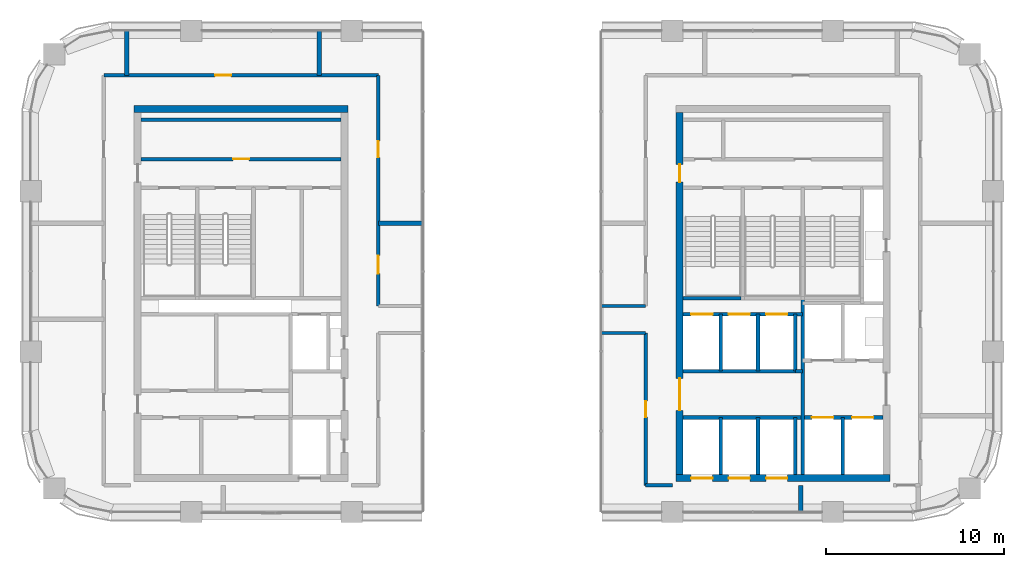
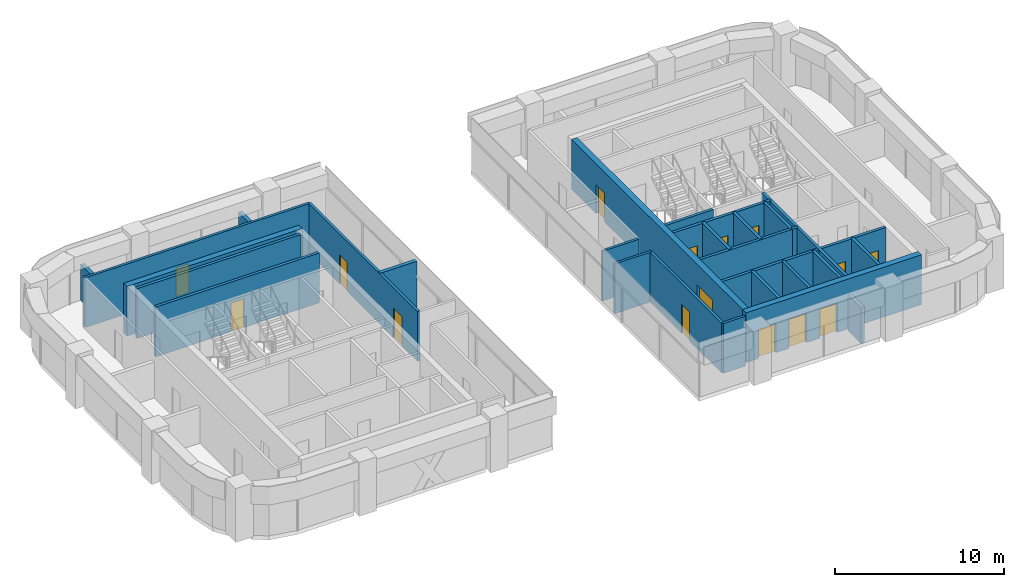
# One storey, part 7 of 12: 28 walls, 15 doors, 15 openings.
"""IFC4 building model written with IfcOpenShell, lengths in metres."""

import ifcopenshell
import ifcopenshell.guid

model = None  # the IFC model being written
_history = None  # IfcOwnerHistory: only IFC2X3 demands one
_inside = {}  # id of a spatial element -> (the spatial element, [elements in it])
_under = {}  # id of a project, library or spatial element -> (it, [spatial elements below it])
_declared = {}  # id of a project -> (the project, [libraries it declares])
_typed = {}  # id of a type object -> (the type object, [elements of that type])
_made_of = {}  # id of a material, layer set ... -> (it, [elements and type objects made of it])


def new_model(schema):
    """Start an empty IFC model of exactly this schema.

    Asked for "IFC4X3", IfcOpenShell would pick the latest addendum, in which some entities
    have other attributes; the version numbers below select the first issue.
    IFC2X3 requires an IfcOwnerHistory on every rooted entity: one is made here for all.
    """
    global model, _history
    if schema == "IFC4X3":
        model = ifcopenshell.file(schema_version=(4, 3, 0, 0))
    else:
        model = ifcopenshell.file(schema=schema)
    _inside.clear()
    _under.clear()
    _declared.clear()
    _typed.clear()
    _made_of.clear()
    _history = None
    if model.schema == "IFC2X3":
        org = make("IfcOrganization", Name="unknown")
        user = make(
            "IfcPersonAndOrganization",
            ThePerson=make("IfcPerson", FamilyName="unknown"),
            TheOrganization=org,
        )
        app = make(
            "IfcApplication",
            ApplicationDeveloper=org,
            Version="unknown",
            ApplicationFullName="unknown",
            ApplicationIdentifier="unknown",
        )
        _history = make(
            "IfcOwnerHistory",
            OwningUser=user,
            OwningApplication=app,
            ChangeAction="ADDED",
            CreationDate=0,
        )
    return model


def make(cls, **values):
    """One entity of the class cls with the attributes given. An attribute that is None is left unset."""
    return model.create_entity(
        cls, **{name: value for name, value in values.items() if value is not None}
    )


def rooted(cls, **values):
    """An entity with a GlobalId (a new one), such as an element, a storey or a relation."""
    return make(cls, GlobalId=ifcopenshell.guid.new(), OwnerHistory=_history, **values)


def si_unit(unit_type, name, prefix=None):
    """IfcSIUnit, for example si_unit("LENGTHUNIT", "METRE", prefix="MILLI")."""
    return make("IfcSIUnit", UnitType=unit_type, Prefix=prefix, Name=name)


def assignment(units):
    """IfcUnitAssignment: the units of a project."""
    return None if units is None else make("IfcUnitAssignment", Units=units)


def point(xyz):
    """IfcCartesianPoint."""
    return None if xyz is None else make("IfcCartesianPoint", Coordinates=xyz)


def direction(xyz):
    """IfcDirection."""
    return None if xyz is None else make("IfcDirection", DirectionRatios=xyz)


def frame(location, z_axis=None, x_axis=None):
    """IfcAxis2Placement3D, a coordinate frame: its origin and axes. An axis left out is left unset."""
    return make(
        "IfcAxis2Placement3D",
        Location=point(location),
        Axis=direction(z_axis),
        RefDirection=direction(x_axis),
    )


def frame_2d(location, x_axis=None):
    """IfcAxis2Placement2D, a coordinate frame in the plane: its origin and x axis."""
    return make(
        "IfcAxis2Placement2D", Location=point(location), RefDirection=direction(x_axis)
    )


def origin():
    """The frame at (0, 0, 0) with its axes left unset."""
    return frame((0.0, 0.0, 0.0))


def place(relative_to, where):
    """IfcLocalPlacement: puts the frame where relative to a parent placement (None: the world)."""
    return make(
        "IfcLocalPlacement", PlacementRelTo=relative_to, RelativePlacement=where
    )


def context(
    kind, dimensions, precision=None, world=None, true_north=None, identifier=None
):
    """IfcGeometricRepresentationContext, for example the 3D "Model" context."""
    return make(
        "IfcGeometricRepresentationContext",
        ContextIdentifier=identifier,
        ContextType=kind,
        CoordinateSpaceDimension=dimensions,
        Precision=precision,
        WorldCoordinateSystem=world,
        TrueNorth=true_north,
    )


def subcontext(parent, identifier, kind, view, scale=None):
    """IfcGeometricRepresentationSubContext, for example "Body" below "Model"."""
    return make(
        "IfcGeometricRepresentationSubContext",
        ContextIdentifier=identifier,
        ContextType=kind,
        ParentContext=parent,
        TargetScale=scale,
        TargetView=view,
    )


def project(units=None, contexts=None):
    """IfcProject with its units and contexts."""
    return rooted(
        "IfcProject",
        Name="project",
        RepresentationContexts=contexts,
        UnitsInContext=assignment(units),
    )


def spatial(cls, under=None, at=None, **own):
    """A site, building, storey or space (cls), placed at a placement, below another one or the project."""
    s = rooted(cls, ObjectPlacement=at, **own)
    if under is not None:
        _under.setdefault(under.id(), (under, []))[1].append(s)
    return s


def profile(cls, at=None, kind="AREA", **sizes):
    """A parametric profile (cls). Its sizes go by their IFC names, for example OverallWidth=200.0."""
    return make(cls, ProfileType=kind, Position=at, **sizes)


def rectangle(**sizes):
    """IfcRectangleProfileDef."""
    return profile("IfcRectangleProfileDef", **sizes)


def extrude(swept, where, along, depth):
    """IfcExtrudedAreaSolid: the profile swept, set in the frame where, extruded along a direction by depth."""
    return make(
        "IfcExtrudedAreaSolid",
        SweptArea=swept,
        Position=where,
        ExtrudedDirection=direction(along),
        Depth=depth,
    )


def shape(context_of_items, identifier, shape_type, items):
    """IfcShapeRepresentation: the items that make up one representation, for example the "Body"."""
    return make(
        "IfcShapeRepresentation",
        ContextOfItems=context_of_items,
        RepresentationIdentifier=identifier,
        RepresentationType=shape_type,
        Items=items,
    )


def material(Name=None, Category=None):
    """IfcMaterial."""
    return make("IfcMaterial", Name=Name, Category=Category)


def layer(
    of_material, thickness, ventilated=None, Name=None, Category=None, Priority=None
):
    """IfcMaterialLayer: one layer of a wall or slab, of a material (None: an air gap)."""
    return make(
        "IfcMaterialLayer",
        Material=of_material,
        LayerThickness=thickness,
        IsVentilated=ventilated,
        Name=Name,
        Category=Category,
        Priority=Priority,
    )


def layer_set(layers, Name=None):
    """IfcMaterialLayerSet."""
    return make("IfcMaterialLayerSet", MaterialLayers=layers, LayerSetName=Name)


def made_of(thing, what):
    """Note that an element or type object is made of a material, layer set ...; save() writes the relation."""
    if what is not None:
        _made_of.setdefault(what.id(), (what, []))[1].append(thing)
    return thing


def type_object(cls, material=None, **own):
    """A type object (cls), such as IfcWallType, which elements share."""
    return made_of(rooted(cls, **own), material)


def element(
    cls,
    number,
    at=None,
    inside=None,
    cuts=None,
    type_object=None,
    material=None,
    context=None,
    identifier="Body",
    shape_type=None,
    held_by="IfcProductDefinitionShape",
    body=None,
    shapes=None,
    **own,
):
    """One element of the class cls, such as IfcWall. Its Tag is "e" and its number.

    at: its placement. inside: the storey or other place that contains it. cuts: it is an
    opening in that element (IfcRelVoidsElement). A single representation is given by context,
    identifier, shape_type and body (its items); several are given by shapes. held_by: the class
    of the entity that holds the representations. save() writes the other relations.
    """
    e = rooted(cls, Tag="e%d" % number, ObjectPlacement=at, **own)
    if body is not None:
        shapes = [shape(context, identifier, shape_type, body)]
    if shapes is not None:
        e.Representation = make(held_by, Representations=shapes)
    if inside is not None:
        _inside.setdefault(inside.id(), (inside, []))[1].append(e)
    if cuts is not None:
        rooted(
            "IfcRelVoidsElement", RelatingBuildingElement=cuts, RelatedOpeningElement=e
        )
    if type_object is not None:
        _typed.setdefault(type_object.id(), (type_object, []))[1].append(e)
    return made_of(e, material)


def fill(opening, filler):
    """IfcRelFillsElement: the door or window that sits in an opening."""
    return rooted(
        "IfcRelFillsElement",
        RelatingOpeningElement=opening,
        RelatedBuildingElement=filler,
    )


def aggregate(whole, parts):
    """IfcRelAggregates: a whole, such as a stair, and the parts it consists of."""
    return rooted("IfcRelAggregates", RelatingObject=whole, RelatedObjects=parts)


def save(model, path):
    """Write the relations noted so far, then the file.

    IfcRelAggregates (storeys below a building ...), IfcRelContainedInSpatialStructure (elements
    in a storey), IfcRelDefinesByType, IfcRelAssociatesMaterial and IfcRelDeclares: one each for
    every whole, place, type object, material and project.
    """
    for whole, parts in _under.values():
        aggregate(whole, parts)
    for where, things in _inside.values():
        rooted(
            "IfcRelContainedInSpatialStructure",
            RelatedElements=things,
            RelatingStructure=where,
        )
    for kind, things in _typed.values():
        rooted("IfcRelDefinesByType", RelatedObjects=things, RelatingType=kind)
    for what, things in _made_of.values():
        rooted("IfcRelAssociatesMaterial", RelatedObjects=things, RelatingMaterial=what)
    for by, libraries in _declared.values():
        rooted("IfcRelDeclares", RelatingContext=by, RelatedDefinitions=libraries)
    model.write(path)


model = new_model("IFC4")

# Units and contexts
model_context = context("Model", 3, precision=1e-05, world=origin(), true_north=direction((0.0, 1.0)))
body_context = subcontext(model_context, "Body", "Model", "MODEL_VIEW")
ifc_project = project(units=[si_unit("LENGTHUNIT", "METRE"), si_unit("AREAUNIT", "SQUARE_METRE"), si_unit("VOLUMEUNIT", "CUBIC_METRE"), si_unit("PLANEANGLEUNIT", "RADIAN"), si_unit("MASSUNIT", "GRAM", prefix="KILO")], contexts=[model_context])

# Site, building, storey
site_placement = place(None, origin())
site = spatial("IfcSite", under=ifc_project, at=site_placement, CompositionType="ELEMENT")
building_placement = place(site_placement, origin())
building = spatial("IfcBuilding", under=site, at=building_placement, Name="Tessera Arch", CompositionType="ELEMENT")
storey_placement = place(building_placement, frame((0.0, 0.0, 207.199951171875)))
storey = spatial("IfcBuildingStorey", under=building, at=storey_placement, Name="L49", CompositionType="ELEMENT", Elevation=207.199951171875)

# Wall
ifc_material_1 = material(Name="Gypsum board on steel stud", Category="steel")
ifc_layer_1 = layer(ifc_material_1, 0.125)
ifc_layer_set_1 = layer_set([ifc_layer_1], Name="Core partition 125 EI 60")
wall_type_1 = type_object("IfcWallType", Name="Core partition 125 EI 60", PredefinedType="PARTITIONING", material=ifc_layer_set_1)
wall_1_placement = place(storey_placement, frame((42.89990234375, 34.89990234375, 0.0), z_axis=(0.0, 0.0, 1.0), x_axis=(1.0, 0.0, 0.0)))
element("IfcWall", 1, at=wall_1_placement, inside=storey, type_object=wall_type_1, Name="L49 C1 partition wall 19", PredefinedType="PARTITIONING", context=body_context, shape_type="SweptSolid", body=[
    extrude(rectangle(XDim=0.400146484375, YDim=0.199951171875, at=frame_2d((0.2001953125, 0.0))), origin(), (0.0, 0.0, 1.0), 3.60009765625),
])

# Wall, opening, door
wall_2_placement = place(storey_placement, frame((6.199951171875, 46.800048828125, 0.0), z_axis=(0.0, 0.0, 1.0), x_axis=(1.0, 0.0, 0.0)))
wall_2 = element("IfcWall", 2, at=wall_2_placement, inside=storey, type_object=wall_type_1, Name="L49 C2 partition wall 24", PredefinedType="PARTITIONING", context=body_context, shape_type="SweptSolid", body=[
    extrude(rectangle(XDim=11.199951171875, YDim=0.199951171875, at=frame_2d((5.60009765625, 0.0))), origin(), (0.0, 0.0, 1.0), 3.60009765625),
])
opening_1_placement = place(wall_2_placement, frame((5.14990234375, 0.0, 0.0)))
opening_1 = element("IfcOpeningElement", 3, at=opening_1_placement, cuts=wall_2, Name="Opening L49-C29", PredefinedType="OPENING", context=body_context, shape_type="SweptSolid", body=[
    extrude(rectangle(XDim=0.89990234375, YDim=2.10009765625, at=frame_2d((0.449951171875, 1.050048828125))), frame((0.0, 0.10986328125, 0.0), z_axis=(0.0, -1.0, 0.0), x_axis=(1.0, 0.0, 0.0)), (0.0, 0.0, 1.0), 0.219970703125),
])
ifc_material_2 = material(Name="Steel door leaf", Category="steel")
door_type_1 = type_object("IfcDoorType", Name="Store door FD30S 900 x 2100", OperationType="SINGLE_SWING_LEFT", PredefinedType="DOOR", material=ifc_material_2)
door_1_placement = place(opening_1_placement, origin())
door_1 = element("IfcDoor", 4, at=door_1_placement, inside=storey, type_object=door_type_1, Name="L49 C2 door 10 C29 type D09", OperationType="SINGLE_SWING_RIGHT", OverallHeight=2.10009765625, OverallWidth=0.89990234375, PredefinedType="DOOR", context=body_context, shape_type="SweptSolid", body=[
    extrude(rectangle(XDim=0.89990234375, YDim=2.10009765625, at=frame_2d((0.449951171875, 1.050048828125))), frame((0.0, 0.02490234375, 0.0), z_axis=(0.0, -1.0, 0.0), x_axis=(1.0, 0.0, 0.0)), (0.0, 0.0, 1.0), 0.050048828125),
])
fill(opening_1, door_1)

# Wall
wall_3_placement = place(storey_placement, frame((6.199951171875, 49.0, 0.0), z_axis=(0.0, 0.0, 1.0), x_axis=(1.0, 0.0, 0.0)))
element("IfcWall", 5, at=wall_3_placement, inside=storey, type_object=wall_type_1, Name="L49 C2 partition wall 25", PredefinedType="PARTITIONING", context=body_context, shape_type="SweptSolid", body=[
    extrude(rectangle(XDim=11.199951171875, YDim=0.199951171875, at=frame_2d((5.60009765625, 0.0))), origin(), (0.0, 0.0, 1.0), 3.60009765625),
])

# Wall, openings, doors
ifc_material_3 = material(Name="Concrete C50/60", Category="concrete")
ifc_layer_2 = layer(ifc_material_3, 0.39990234375)
ifc_layer_set_2 = layer_set([ifc_layer_2], Name="Core shell wall 400 C50-60")
wall_type_2 = type_object("IfcWallType", Name="Core shell wall 400 C50-60", PredefinedType="SHEAR", material=ifc_layer_set_2)
wall_4_placement = place(storey_placement, frame((36.199951171875, 28.89990234375, 0.0), z_axis=(0.0, 0.0, 1.0), x_axis=(1.0, 0.0, 0.0)))
wall_4 = element("IfcWall", 6, at=wall_4_placement, inside=storey, type_object=wall_type_2, Name="L49 C1 core wall S", PredefinedType="SHEAR", context=body_context, shape_type="SweptSolid", body=[
    extrude(rectangle(XDim=12.0, YDim=0.39990234375, at=frame_2d((6.0, 0.0))), origin(), (0.0, 0.0, 1.0), 3.60009765625),
])
opening_2_placement = place(wall_4_placement, frame((0.85009765625, 0.0, 0.0)))
opening_2 = element("IfcOpeningElement", 7, at=opening_2_placement, cuts=wall_4, Name="Opening L49-C01", PredefinedType="OPENING", context=body_context, shape_type="SweptSolid", body=[
    extrude(rectangle(XDim=1.199951171875, YDim=2.10009765625, at=frame_2d((0.60009765625, 1.050048828125))), frame((0.0, 0.2099609375, 0.0), z_axis=(0.0, -1.0, 0.0), x_axis=(1.0, 0.0, 0.0)), (0.0, 0.0, 1.0), 0.419921875),
])
opening_3_placement = place(wall_4_placement, frame((2.949951171875, 0.0, 0.0)))
opening_3 = element("IfcOpeningElement", 8, at=opening_3_placement, cuts=wall_4, Name="Opening L49-C03", PredefinedType="OPENING", context=body_context, shape_type="SweptSolid", body=[
    extrude(rectangle(XDim=1.199951171875, YDim=2.10009765625, at=frame_2d((0.60009765625, 1.050048828125))), frame((0.0, 0.2099609375, 0.0), z_axis=(0.0, -1.0, 0.0), x_axis=(1.0, 0.0, 0.0)), (0.0, 0.0, 1.0), 0.419921875),
])
opening_4_placement = place(wall_4_placement, frame((5.050048828125, 0.0, 0.0)))
opening_4 = element("IfcOpeningElement", 9, at=opening_4_placement, cuts=wall_4, Name="Opening L49-C05", PredefinedType="OPENING", context=body_context, shape_type="SweptSolid", body=[
    extrude(rectangle(XDim=1.199951171875, YDim=2.10009765625, at=frame_2d((0.60009765625, 1.050048828125))), frame((0.0, 0.2099609375, 0.0), z_axis=(0.0, -1.0, 0.0), x_axis=(1.0, 0.0, 0.0)), (0.0, 0.0, 1.0), 0.419921875),
])
ifc_material_4 = material(Name="Stainless steel AISI 304", Category="steel")
door_type_2 = type_object("IfcDoorType", Name="Sliding landing door 1200 x 2100", OperationType="SLIDING_TO_LEFT", PredefinedType="DOOR", material=ifc_material_4)
door_2_placement = place(opening_2_placement, origin())
door_2 = element("IfcDoor", 10, at=door_2_placement, inside=storey, type_object=door_type_2, Name="L49 HR1 lift landing door C01 type LD", OperationType="SLIDING_TO_LEFT", OverallHeight=2.10009765625, OverallWidth=1.199951171875, PredefinedType="DOOR", context=body_context, shape_type="SweptSolid", body=[
    extrude(rectangle(XDim=1.199951171875, YDim=2.10009765625, at=frame_2d((0.60009765625, 1.050048828125))), frame((0.0, 0.02490234375, 0.0), z_axis=(0.0, -1.0, 0.0), x_axis=(1.0, 0.0, 0.0)), (0.0, 0.0, 1.0), 0.050048828125),
])
fill(opening_2, door_2)
door_3_placement = place(opening_3_placement, origin())
door_3 = element("IfcDoor", 11, at=door_3_placement, inside=storey, type_object=door_type_2, Name="L49 HR2 lift landing door C03 type LD", OperationType="SLIDING_TO_LEFT", OverallHeight=2.10009765625, OverallWidth=1.199951171875, PredefinedType="DOOR", context=body_context, shape_type="SweptSolid", body=[
    extrude(rectangle(XDim=1.199951171875, YDim=2.10009765625, at=frame_2d((0.60009765625, 1.050048828125))), frame((0.0, 0.02490234375, 0.0), z_axis=(0.0, -1.0, 0.0), x_axis=(1.0, 0.0, 0.0)), (0.0, 0.0, 1.0), 0.050048828125),
])
fill(opening_3, door_3)
door_4_placement = place(opening_4_placement, origin())
door_4 = element("IfcDoor", 12, at=door_4_placement, inside=storey, type_object=door_type_2, Name="L49 HR3 lift landing door C05 type LD", OperationType="SLIDING_TO_LEFT", OverallHeight=2.10009765625, OverallWidth=1.199951171875, PredefinedType="DOOR", context=body_context, shape_type="SweptSolid", body=[
    extrude(rectangle(XDim=1.199951171875, YDim=2.10009765625, at=frame_2d((0.60009765625, 1.050048828125))), frame((0.0, 0.02490234375, 0.0), z_axis=(0.0, -1.0, 0.0), x_axis=(1.0, 0.0, 0.0)), (0.0, 0.0, 1.0), 0.050048828125),
])
fill(opening_4, door_4)

wall_5_placement = place(storey_placement, frame((36.39990234375, 29.10009765625, 0.0), z_axis=(0.0, 0.0, 1.0), x_axis=(0.0, 1.0, 0.0)))
wall_5 = element("IfcWall", 13, at=wall_5_placement, inside=storey, type_object=wall_type_2, Name="L49 C1 core wall W", PredefinedType="SHEAR", context=body_context, shape_type="SweptSolid", body=[
    extrude(rectangle(XDim=20.2998046875, YDim=0.39990234375, at=frame_2d((10.14990234375, 0.0))), origin(), (0.0, 0.0, 1.0), 3.60009765625),
])
opening_5_placement = place(wall_5_placement, frame((3.60009765625, 0.0, 0.0)))
opening_5 = element("IfcOpeningElement", 14, at=opening_5_placement, cuts=wall_5, Name="Opening L49-C10", PredefinedType="OPENING", context=body_context, shape_type="SweptSolid", body=[
    extrude(rectangle(XDim=1.800048828125, YDim=2.10009765625, at=frame_2d((0.89990234375, 1.050048828125))), frame((0.0, 0.2099609375, 0.0), z_axis=(0.0, -1.0, 0.0), x_axis=(1.0, 0.0, 0.0)), (0.0, 0.0, 1.0), 0.419921875),
])
opening_6_placement = place(wall_5_placement, frame((16.39990234375, 0.0, 0.0)))
opening_6 = element("IfcOpeningElement", 15, at=opening_6_placement, cuts=wall_5, Name="Opening L49-C17", PredefinedType="OPENING", context=body_context, shape_type="SweptSolid", body=[
    extrude(rectangle(XDim=1.0, YDim=2.10009765625, at=frame_2d((0.5, 1.050048828125))), frame((0.0, 0.2099609375, 0.0), z_axis=(0.0, -1.0, 0.0), x_axis=(1.0, 0.0, 0.0)), (0.0, 0.0, 1.0), 0.419921875),
])
ifc_material_5 = material(Name="Steel door leaf", Category="steel")
door_type_3 = type_object("IfcDoorType", Name="Corridor door FD60 1000 x 2100", OperationType="SINGLE_SWING_LEFT", PredefinedType="DOOR", material=ifc_material_5)
door_5_placement = place(opening_6_placement, origin())
door_5 = element("IfcDoor", 16, at=door_5_placement, inside=storey, type_object=door_type_3, Name="L49 C1 door 17 C17 type D12", OperationType="SINGLE_SWING_RIGHT", OverallHeight=2.10009765625, OverallWidth=1.0, PredefinedType="DOOR", context=body_context, shape_type="SweptSolid", body=[
    extrude(rectangle(XDim=1.0, YDim=2.10009765625, at=frame_2d((0.5, 1.050048828125))), frame((0.0, 0.02490234375, 0.0), z_axis=(0.0, -1.0, 0.0), x_axis=(1.0, 0.0, 0.0)), (0.0, 0.0, 1.0), 0.050048828125),
])
fill(opening_6, door_5)
ifc_material_6 = material(Name="Glazed steel door leaf", Category="steel")
door_type_4 = type_object("IfcDoorType", Name="Lobby double door FD30S 1800 x 2100", OperationType="DOUBLE_DOOR_SINGLE_SWING", PredefinedType="DOOR", material=ifc_material_6)
door_6_placement = place(opening_5_placement, origin())
door_6 = element("IfcDoor", 17, at=door_6_placement, inside=storey, type_object=door_type_4, Name="L49 C1 door 10 C10 type D06", OperationType="DOUBLE_DOOR_SINGLE_SWING", OverallHeight=2.10009765625, OverallWidth=1.800048828125, PredefinedType="DOOR", context=body_context, shape_type="SweptSolid", body=[
    extrude(rectangle(XDim=1.800048828125, YDim=2.10009765625, at=frame_2d((0.89990234375, 1.050048828125))), frame((0.0, 0.02490234375, 0.0), z_axis=(0.0, -1.0, 0.0), x_axis=(1.0, 0.0, 0.0)), (0.0, 0.0, 1.0), 0.050048828125),
])
fill(opening_5, door_6)

# Walls
wall_6_placement = place(storey_placement, frame((5.800048828125, 49.60009765625, 0.0), z_axis=(0.0, 0.0, 1.0), x_axis=(1.0, 0.0, 0.0)))
element("IfcWall", 18, at=wall_6_placement, inside=storey, type_object=wall_type_2, Name="L49 C2 core wall N", PredefinedType="SHEAR", context=body_context, shape_type="SweptSolid", body=[
    extrude(rectangle(XDim=12.0, YDim=0.39990234375, at=frame_2d((6.0, 0.0))), origin(), (0.0, 0.0, 1.0), 3.60009765625),
])
ifc_material_7 = material(Name="Gypsum board on deep steel stud with mineral wool", Category="steel")
ifc_layer_3 = layer(ifc_material_7, 0.175048828125)
ifc_layer_set_3 = layer_set([ifc_layer_3], Name="Corridor wall 175 EI 60")
wall_type_3 = type_object("IfcWallType", Name="Corridor wall 175 EI 60", PredefinedType="PARTITIONING", material=ifc_layer_set_3)
wall_7_placement = place(storey_placement, frame((34.5, 28.5, 0.0), z_axis=(0.0, 0.0, 1.0), x_axis=(1.0, 0.0, 0.0)))
element("IfcWall", 19, at=wall_7_placement, inside=storey, type_object=wall_type_3, Name="L49 partition 3", PredefinedType="PARTITIONING", context=body_context, shape_type="SweptSolid", body=[
    extrude(rectangle(XDim=1.5, YDim=0.175048828125, at=frame_2d((0.75, 0.0))), origin(), (0.0, 0.0, 1.0), 3.60009765625),
])
for number, where, z_axis, x_axis, name in (
    (20, (32.0, 37.050048828125, 0.0), (0.0, 0.0, 1.0), (1.0, 0.0, 0.0), "L49 partition 6"),
    (21, (32.0, 38.550048828125, 0.0), (0.0, 0.0, 1.0), (1.0, 0.0, 0.0), "L49 partition 8"),
):
    element("IfcWall", number, at=place(storey_placement, frame(where, z_axis=z_axis, x_axis=x_axis)), inside=storey, type_object=wall_type_3, Name=name, PredefinedType="PARTITIONING", context=body_context, shape_type="SweptSolid", body=[
        extrude(rectangle(XDim=2.5, YDim=0.175048828125, at=frame_2d((1.25, 0.0))), origin(), (0.0, 0.0, 1.0), 3.60009765625),
    ])

# Wall, opening, door
wall_8_placement = place(storey_placement, frame((4.10009765625, 51.5, 0.0), z_axis=(0.0, 0.0, 1.0), x_axis=(1.0, 0.0, 0.0)))
wall_8 = element("IfcWall", 22, at=wall_8_placement, inside=storey, type_object=wall_type_3, Name="L49 partition 9", PredefinedType="PARTITIONING", context=body_context, shape_type="SweptSolid", body=[
    extrude(rectangle(XDim=15.39990234375, YDim=0.175048828125, at=frame_2d((7.699951171875, 0.0))), origin(), (0.0, 0.0, 1.0), 3.60009765625),
])
opening_7_placement = place(wall_8_placement, frame((6.25, 0.0, 0.0)))
opening_7 = element("IfcOpeningElement", 23, at=opening_7_placement, cuts=wall_8, Name="Opening L49-D014", PredefinedType="OPENING", context=body_context, shape_type="SweptSolid", body=[
    extrude(rectangle(XDim=0.89990234375, YDim=2.10009765625, at=frame_2d((0.449951171875, 1.050048828125))), frame((0.0, 0.097412109375, 0.0), z_axis=(0.0, -1.0, 0.0), x_axis=(1.0, 0.0, 0.0)), (0.0, 0.0, 1.0), 0.195068359375),
])
ifc_material_8 = material(Name="Timber door leaf", Category="wood")
door_type_5 = type_object("IfcDoorType", Name="Room door 900 x 2100", OperationType="SINGLE_SWING_LEFT", PredefinedType="DOOR", material=ifc_material_8)
door_7_placement = place(opening_7_placement, origin())
door_7 = element("IfcDoor", 24, at=door_7_placement, inside=storey, type_object=door_type_5, Name="L49 door D014 type D01", OperationType="SINGLE_SWING_RIGHT", OverallHeight=2.10009765625, OverallWidth=0.89990234375, PredefinedType="DOOR", context=body_context, shape_type="SweptSolid", body=[
    extrude(rectangle(XDim=0.89990234375, YDim=2.10009765625, at=frame_2d((0.449951171875, 1.050048828125))), frame((0.0, 0.02490234375, 0.0), z_axis=(0.0, -1.0, 0.0), x_axis=(1.0, 0.0, 0.0)), (0.0, 0.0, 1.0), 0.050048828125),
])
fill(opening_7, door_7)

# Wall, openings, doors
wall_9_placement = place(storey_placement, frame((19.5, 38.550048828125, 0.0), z_axis=(0.0, 0.0, 1.0), x_axis=(0.0, 1.0, 0.0)))
wall_9 = element("IfcWall", 25, at=wall_9_placement, inside=storey, type_object=wall_type_3, Name="L49 partition 13", PredefinedType="PARTITIONING", context=body_context, shape_type="SweptSolid", body=[
    extrude(rectangle(XDim=12.949951171875, YDim=0.175048828125, at=frame_2d((6.47509765625, 0.0))), origin(), (0.0, 0.0, 1.0), 3.60009765625),
])
opening_8_placement = place(wall_9_placement, frame((1.824951171875, 0.0, 0.0)))
opening_8 = element("IfcOpeningElement", 26, at=opening_8_placement, cuts=wall_9, Name="Opening L49-D008", PredefinedType="OPENING", context=body_context, shape_type="SweptSolid", body=[
    extrude(rectangle(XDim=1.0, YDim=2.10009765625, at=frame_2d((0.5, 1.050048828125))), frame((0.0, 0.097412109375, 0.0), z_axis=(0.0, -1.0, 0.0), x_axis=(1.0, 0.0, 0.0)), (0.0, 0.0, 1.0), 0.195068359375),
])
opening_9_placement = place(wall_9_placement, frame((8.35009765625, 0.0, 0.0)))
opening_9 = element("IfcOpeningElement", 27, at=opening_9_placement, cuts=wall_9, Name="Opening L49-D012", PredefinedType="OPENING", context=body_context, shape_type="SweptSolid", body=[
    extrude(rectangle(XDim=0.89990234375, YDim=2.10009765625, at=frame_2d((0.449951171875, 1.050048828125))), frame((0.0, 0.097412109375, 0.0), z_axis=(0.0, -1.0, 0.0), x_axis=(1.0, 0.0, 0.0)), (0.0, 0.0, 1.0), 0.195068359375),
])
ifc_material_9 = material(Name="Fire-rated door leaf")
door_type_6 = type_object("IfcDoorType", Name="Entrance door FD30S 1000 x 2100", OperationType="SINGLE_SWING_LEFT", PredefinedType="DOOR", material=ifc_material_9)
door_8_placement = place(opening_8_placement, origin())
door_8 = element("IfcDoor", 28, at=door_8_placement, inside=storey, type_object=door_type_6, Name="L49 door D008 type D03", OperationType="SINGLE_SWING_LEFT", OverallHeight=2.10009765625, OverallWidth=1.0, PredefinedType="DOOR", context=body_context, shape_type="SweptSolid", body=[
    extrude(rectangle(XDim=1.0, YDim=2.10009765625, at=frame_2d((0.5, 1.050048828125))), frame((0.0, 0.02490234375, 0.0), z_axis=(0.0, -1.0, 0.0), x_axis=(1.0, 0.0, 0.0)), (0.0, 0.0, 1.0), 0.050048828125),
])
fill(opening_8, door_8)
door_9_placement = place(opening_9_placement, origin())
door_9 = element("IfcDoor", 29, at=door_9_placement, inside=storey, type_object=door_type_5, Name="L49 door D012 type D01", OperationType="SINGLE_SWING_LEFT", OverallHeight=2.10009765625, OverallWidth=0.89990234375, PredefinedType="DOOR", context=body_context, shape_type="SweptSolid", body=[
    extrude(rectangle(XDim=0.89990234375, YDim=2.10009765625, at=frame_2d((0.449951171875, 1.050048828125))), frame((0.0, 0.02490234375, 0.0), z_axis=(0.0, -1.0, 0.0), x_axis=(1.0, 0.0, 0.0)), (0.0, 0.0, 1.0), 0.050048828125),
])
fill(opening_9, door_9)

# Wall, opening, door
wall_10_placement = place(storey_placement, frame((34.5, 28.5, 0.0), z_axis=(0.0, 0.0, 1.0), x_axis=(0.0, 1.0, 0.0)))
wall_10 = element("IfcWall", 30, at=wall_10_placement, inside=storey, type_object=wall_type_3, Name="L49 partition 14", PredefinedType="PARTITIONING", context=body_context, shape_type="SweptSolid", body=[
    extrude(rectangle(XDim=8.550048828125, YDim=0.175048828125, at=frame_2d((4.27490234375, 0.0))), origin(), (0.0, 0.0, 1.0), 3.60009765625),
])
opening_10_placement = place(wall_10_placement, frame((3.824951171875, 0.0, 0.0)))
opening_10 = element("IfcOpeningElement", 31, at=opening_10_placement, cuts=wall_10, Name="Opening L49-D004", PredefinedType="OPENING", context=body_context, shape_type="SweptSolid", body=[
    extrude(rectangle(XDim=0.89990234375, YDim=2.10009765625, at=frame_2d((0.449951171875, 1.050048828125))), frame((0.0, 0.097412109375, 0.0), z_axis=(0.0, -1.0, 0.0), x_axis=(1.0, 0.0, 0.0)), (0.0, 0.0, 1.0), 0.195068359375),
])
door_10_placement = place(opening_10_placement, origin())
door_10 = element("IfcDoor", 32, at=door_10_placement, inside=storey, type_object=door_type_5, Name="L49 door D004 type D01", OperationType="SINGLE_SWING_RIGHT", OverallHeight=2.10009765625, OverallWidth=0.89990234375, PredefinedType="DOOR", context=body_context, shape_type="SweptSolid", body=[
    extrude(rectangle(XDim=0.89990234375, YDim=2.10009765625, at=frame_2d((0.449951171875, 1.050048828125))), frame((0.0, 0.02490234375, 0.0), z_axis=(0.0, -1.0, 0.0), x_axis=(1.0, 0.0, 0.0)), (0.0, 0.0, 1.0), 0.050048828125),
])
fill(opening_10, door_10)

# Walls
ifc_material_10 = material(Name="Double gypsum board on twin steel stud with acoustic mineral wool", Category="steel")
ifc_layer_4 = layer(ifc_material_10, 0.25)
ifc_layer_set_4 = layer_set([ifc_layer_4], Name="Party wall 250 EI 60")
wall_type_4 = type_object("IfcWallType", Name="Party wall 250 EI 60", PredefinedType="PARTITIONING", material=ifc_layer_set_4)
wall_11_placement = place(storey_placement, frame((19.5, 43.199951171875, 0.0), z_axis=(0.0, 0.0, 1.0), x_axis=(1.0, 0.0, 0.0)))
element("IfcWall", 33, at=wall_11_placement, inside=storey, type_object=wall_type_4, Name="L49 partition 20", PredefinedType="PARTITIONING", context=body_context, shape_type="SweptSolid", body=[
    extrude(rectangle(XDim=2.5, YDim=0.25, at=frame_2d((1.25, 0.0))), origin(), (0.0, 0.0, 1.0), 3.60009765625),
])
for number, where, z_axis, x_axis, name in (
    (34, (5.39990234375, 51.5, 0.0), (0.0, 0.0, 1.0), (0.0, 1.0, 0.0), "L49 partition 23"),
    (35, (16.199951171875, 51.5, 0.0), (0.0, 0.0, 1.0), (0.0, 1.0, 0.0), "L49 partition 25"),
):
    element("IfcWall", number, at=place(storey_placement, frame(where, z_axis=z_axis, x_axis=x_axis)), inside=storey, type_object=wall_type_4, Name=name, PredefinedType="PARTITIONING", context=body_context, shape_type="SweptSolid", body=[
        extrude(rectangle(XDim=2.5, YDim=0.25, at=frame_2d((1.25, 0.0))), origin(), (0.0, 0.0, 1.0), 2.60009765625),
    ])
wall_12_placement = place(storey_placement, frame((43.199951171875, 27.0, 0.0), z_axis=(0.0, 0.0, 1.0), x_axis=(0.0, 1.0, 0.0)))
element("IfcWall", 36, at=wall_12_placement, inside=storey, type_object=wall_type_4, Name="L49 partition 27", PredefinedType="PARTITIONING", context=body_context, shape_type="SweptSolid", body=[
    extrude(rectangle(XDim=1.5, YDim=0.25, at=frame_2d((0.75, 0.0))), origin(), (0.0, 0.0, 1.0), 2.60009765625),
])
ifc_material_11 = material(Name="Concrete C40/50", Category="concrete")
ifc_layer_5 = layer(ifc_material_11, 0.199951171875)
ifc_layer_set_5 = layer_set([ifc_layer_5], Name="Shaft wall 200 EI 120")
wall_type_5 = type_object("IfcWallType", Name="Shaft wall 200 EI 120", PredefinedType="SOLIDWALL", material=ifc_layer_set_5)
wall_13_placement = place(storey_placement, frame((38.699951171875, 29.10009765625, 0.0), z_axis=(0.0, 0.0, 1.0), x_axis=(0.0, 1.0, 0.0)))
element("IfcWall", 37, at=wall_13_placement, inside=storey, type_object=wall_type_5, Name="L49 C1 shaft wall 1", PredefinedType="SOLIDWALL", context=body_context, shape_type="SweptSolid", body=[
    extrude(rectangle(XDim=3.199951171875, YDim=0.199951171875, at=frame_2d((1.60009765625, 0.0))), origin(), (0.0, 0.0, 1.0), 3.60009765625),
])
wall_14_placement = place(storey_placement, frame((38.699951171875, 34.89990234375, 0.0), z_axis=(0.0, 0.0, 1.0), x_axis=(0.0, 1.0, 0.0)))
element("IfcWall", 38, at=wall_14_placement, inside=storey, type_object=wall_type_5, Name="L49 C1 shaft wall 2", PredefinedType="SOLIDWALL", context=body_context, shape_type="SweptSolid", body=[
    extrude(rectangle(XDim=3.2001953125, YDim=0.199951171875, at=frame_2d((1.60009765625, 0.0))), origin(), (0.0, 0.0, 1.0), 3.60009765625),
])
wall_15_placement = place(storey_placement, frame((40.800048828125, 29.10009765625, 0.0), z_axis=(0.0, 0.0, 1.0), x_axis=(0.0, 1.0, 0.0)))
element("IfcWall", 39, at=wall_15_placement, inside=storey, type_object=wall_type_5, Name="L49 C1 shaft wall 6", PredefinedType="SOLIDWALL", context=body_context, shape_type="SweptSolid", body=[
    extrude(rectangle(XDim=3.199951171875, YDim=0.199951171875, at=frame_2d((1.60009765625, 0.0))), origin(), (0.0, 0.0, 1.0), 3.60009765625),
])
wall_16_placement = place(storey_placement, frame((40.800048828125, 34.89990234375, 0.0), z_axis=(0.0, 0.0, 1.0), x_axis=(0.0, 1.0, 0.0)))
element("IfcWall", 40, at=wall_16_placement, inside=storey, type_object=wall_type_5, Name="L49 C1 shaft wall 7", PredefinedType="SOLIDWALL", context=body_context, shape_type="SweptSolid", body=[
    extrude(rectangle(XDim=3.2001953125, YDim=0.199951171875, at=frame_2d((1.60009765625, 0.0))), origin(), (0.0, 0.0, 1.0), 3.60009765625),
])
wall_17_placement = place(storey_placement, frame((42.89990234375, 29.10009765625, 0.0), z_axis=(0.0, 0.0, 1.0), x_axis=(0.0, 1.0, 0.0)))
element("IfcWall", 41, at=wall_17_placement, inside=storey, type_object=wall_type_5, Name="L49 C1 shaft wall 8", PredefinedType="SOLIDWALL", context=body_context, shape_type="SweptSolid", body=[
    extrude(rectangle(XDim=3.199951171875, YDim=0.199951171875, at=frame_2d((1.60009765625, 0.0))), origin(), (0.0, 0.0, 1.0), 3.60009765625),
])
wall_18_placement = place(storey_placement, frame((42.89990234375, 34.89990234375, 0.0), z_axis=(0.0, 0.0, 1.0), x_axis=(0.0, 1.0, 0.0)))
element("IfcWall", 42, at=wall_18_placement, inside=storey, type_object=wall_type_5, Name="L49 C1 shaft wall 9", PredefinedType="SOLIDWALL", context=body_context, shape_type="SweptSolid", body=[
    extrude(rectangle(XDim=3.2001953125, YDim=0.199951171875, at=frame_2d((1.60009765625, 0.0))), origin(), (0.0, 0.0, 1.0), 3.60009765625),
])
wall_19_placement = place(storey_placement, frame((43.300048828125, 29.10009765625, 0.0), z_axis=(0.0, 0.0, 1.0), x_axis=(0.0, 1.0, 0.0)))
element("IfcWall", 43, at=wall_19_placement, inside=storey, type_object=wall_type_5, Name="L49 C1 shaft wall 10", PredefinedType="SOLIDWALL", context=body_context, shape_type="SweptSolid", body=[
    extrude(rectangle(XDim=9.89990234375, YDim=0.199951171875, at=frame_2d((4.949951171875, 0.0))), origin(), (0.0, 0.0, 1.0), 3.60009765625),
])
wall_20_placement = place(storey_placement, frame((45.550048828125, 29.10009765625, 0.0), z_axis=(0.0, 0.0, 1.0), x_axis=(0.0, 1.0, 0.0)))
element("IfcWall", 44, at=wall_20_placement, inside=storey, type_object=wall_type_5, Name="L49 C1 shaft wall 13", PredefinedType="SOLIDWALL", context=body_context, shape_type="SweptSolid", body=[
    extrude(rectangle(XDim=3.199951171875, YDim=0.199951171875, at=frame_2d((1.60009765625, 0.0))), origin(), (0.0, 0.0, 1.0), 3.60009765625),
])

# Wall, openings, doors
wall_21_placement = place(storey_placement, frame((36.60009765625, 32.300048828125, 0.0), z_axis=(0.0, 0.0, 1.0), x_axis=(1.0, 0.0, 0.0)))
wall_21 = element("IfcWall", 45, at=wall_21_placement, inside=storey, type_object=wall_type_5, Name="L49 C1 shaft wall 18", PredefinedType="SOLIDWALL", context=body_context, shape_type="SweptSolid", body=[
    extrude(rectangle(XDim=11.199951171875, YDim=0.199951171875, at=frame_2d((5.60009765625, 0.0))), origin(), (0.0, 0.0, 1.0), 3.60009765625),
])
opening_11_placement = place(wall_21_placement, frame((7.22509765625, 0.0, 0.0)))
opening_11 = element("IfcOpeningElement", 46, at=opening_11_placement, cuts=wall_21, Name="Opening L49-C07", PredefinedType="OPENING", context=body_context, shape_type="SweptSolid", body=[
    extrude(rectangle(XDim=1.199951171875, YDim=2.10009765625, at=frame_2d((0.60009765625, 1.050048828125))), frame((0.0, 0.10986328125, 0.0), z_axis=(0.0, -1.0, 0.0), x_axis=(1.0, 0.0, 0.0)), (0.0, 0.0, 1.0), 0.219970703125),
])
opening_12_placement = place(wall_21_placement, frame((9.47509765625, 0.0, 0.0)))
opening_12 = element("IfcOpeningElement", 47, at=opening_12_placement, cuts=wall_21, Name="Opening L49-C08", PredefinedType="OPENING", context=body_context, shape_type="SweptSolid", body=[
    extrude(rectangle(XDim=1.199951171875, YDim=2.10009765625, at=frame_2d((0.60009765625, 1.050048828125))), frame((0.0, 0.10986328125, 0.0), z_axis=(0.0, -1.0, 0.0), x_axis=(1.0, 0.0, 0.0)), (0.0, 0.0, 1.0), 0.219970703125),
])
door_11_placement = place(opening_11_placement, origin())
door_11 = element("IfcDoor", 48, at=door_11_placement, inside=storey, type_object=door_type_2, Name="L49 FF1 lift landing door C07 type LD", OperationType="SLIDING_TO_LEFT", OverallHeight=2.10009765625, OverallWidth=1.199951171875, PredefinedType="DOOR", context=body_context, shape_type="SweptSolid", body=[
    extrude(rectangle(XDim=1.199951171875, YDim=2.10009765625, at=frame_2d((0.60009765625, 1.050048828125))), frame((0.0, 0.02490234375, 0.0), z_axis=(0.0, -1.0, 0.0), x_axis=(1.0, 0.0, 0.0)), (0.0, 0.0, 1.0), 0.050048828125),
])
fill(opening_11, door_11)
door_12_placement = place(opening_12_placement, origin())
door_12 = element("IfcDoor", 49, at=door_12_placement, inside=storey, type_object=door_type_2, Name="L49 FF2 lift landing door C08 type LD", OperationType="SLIDING_TO_LEFT", OverallHeight=2.10009765625, OverallWidth=1.199951171875, PredefinedType="DOOR", context=body_context, shape_type="SweptSolid", body=[
    extrude(rectangle(XDim=1.199951171875, YDim=2.10009765625, at=frame_2d((0.60009765625, 1.050048828125))), frame((0.0, 0.02490234375, 0.0), z_axis=(0.0, -1.0, 0.0), x_axis=(1.0, 0.0, 0.0)), (0.0, 0.0, 1.0), 0.050048828125),
])
fill(opening_12, door_12)

# Wall
wall_22_placement = place(storey_placement, frame((36.60009765625, 34.89990234375, 0.0), z_axis=(0.0, 0.0, 1.0), x_axis=(1.0, 0.0, 0.0)))
element("IfcWall", 50, at=wall_22_placement, inside=storey, type_object=wall_type_5, Name="L49 C1 shaft wall 20", PredefinedType="SOLIDWALL", context=body_context, shape_type="SweptSolid", body=[
    extrude(rectangle(XDim=6.2998046875, YDim=0.199951171875, at=frame_2d((3.14990234375, 0.0))), origin(), (0.0, 0.0, 1.0), 3.60009765625),
])

# Wall, openings, doors
wall_23_placement = place(storey_placement, frame((36.60009765625, 38.10009765625, 0.0), z_axis=(0.0, 0.0, 1.0), x_axis=(1.0, 0.0, 0.0)))
wall_23 = element("IfcWall", 51, at=wall_23_placement, inside=storey, type_object=wall_type_5, Name="L49 C1 shaft wall 22", PredefinedType="SOLIDWALL", context=body_context, shape_type="SweptSolid", body=[
    extrude(rectangle(XDim=6.699951171875, YDim=0.199951171875, at=frame_2d((3.35009765625, 0.0))), origin(), (0.0, 0.0, 1.0), 3.60009765625),
])
opening_13_placement = place(wall_23_placement, frame((0.449951171875, 0.0, 0.0)))
opening_13 = element("IfcOpeningElement", 52, at=opening_13_placement, cuts=wall_23, Name="Opening L49-C02", PredefinedType="OPENING", context=body_context, shape_type="SweptSolid", body=[
    extrude(rectangle(XDim=1.199951171875, YDim=2.10009765625, at=frame_2d((0.60009765625, 1.050048828125))), frame((0.0, 0.10986328125, 0.0), z_axis=(0.0, -1.0, 0.0), x_axis=(1.0, 0.0, 0.0)), (0.0, 0.0, 1.0), 0.219970703125),
])
opening_14_placement = place(wall_23_placement, frame((2.550048828125, 0.0, 0.0)))
opening_14 = element("IfcOpeningElement", 53, at=opening_14_placement, cuts=wall_23, Name="Opening L49-C04", PredefinedType="OPENING", context=body_context, shape_type="SweptSolid", body=[
    extrude(rectangle(XDim=1.199951171875, YDim=2.10009765625, at=frame_2d((0.60009765625, 1.050048828125))), frame((0.0, 0.10986328125, 0.0), z_axis=(0.0, -1.0, 0.0), x_axis=(1.0, 0.0, 0.0)), (0.0, 0.0, 1.0), 0.219970703125),
])
opening_15_placement = place(wall_23_placement, frame((4.64990234375, 0.0, 0.0)))
opening_15 = element("IfcOpeningElement", 54, at=opening_15_placement, cuts=wall_23, Name="Opening L49-C06", PredefinedType="OPENING", context=body_context, shape_type="SweptSolid", body=[
    extrude(rectangle(XDim=1.199951171875, YDim=2.10009765625, at=frame_2d((0.60009765625, 1.050048828125))), frame((0.0, 0.10986328125, 0.0), z_axis=(0.0, -1.0, 0.0), x_axis=(1.0, 0.0, 0.0)), (0.0, 0.0, 1.0), 0.219970703125),
])
door_13_placement = place(opening_13_placement, origin())
door_13 = element("IfcDoor", 55, at=door_13_placement, inside=storey, type_object=door_type_2, Name="L49 HR4 lift landing door C02 type LD", OperationType="SLIDING_TO_LEFT", OverallHeight=2.10009765625, OverallWidth=1.199951171875, PredefinedType="DOOR", context=body_context, shape_type="SweptSolid", body=[
    extrude(rectangle(XDim=1.199951171875, YDim=2.10009765625, at=frame_2d((0.60009765625, 1.050048828125))), frame((0.0, 0.02490234375, 0.0), z_axis=(0.0, -1.0, 0.0), x_axis=(1.0, 0.0, 0.0)), (0.0, 0.0, 1.0), 0.050048828125),
])
fill(opening_13, door_13)
door_14_placement = place(opening_14_placement, origin())
door_14 = element("IfcDoor", 56, at=door_14_placement, inside=storey, type_object=door_type_2, Name="L49 HR5 lift landing door C04 type LD", OperationType="SLIDING_TO_LEFT", OverallHeight=2.10009765625, OverallWidth=1.199951171875, PredefinedType="DOOR", context=body_context, shape_type="SweptSolid", body=[
    extrude(rectangle(XDim=1.199951171875, YDim=2.10009765625, at=frame_2d((0.60009765625, 1.050048828125))), frame((0.0, 0.02490234375, 0.0), z_axis=(0.0, -1.0, 0.0), x_axis=(1.0, 0.0, 0.0)), (0.0, 0.0, 1.0), 0.050048828125),
])
fill(opening_14, door_14)
door_15_placement = place(opening_15_placement, origin())
door_15 = element("IfcDoor", 57, at=door_15_placement, inside=storey, type_object=door_type_2, Name="L49 HR6 lift landing door C06 type LD", OperationType="SLIDING_TO_LEFT", OverallHeight=2.10009765625, OverallWidth=1.199951171875, PredefinedType="DOOR", context=body_context, shape_type="SweptSolid", body=[
    extrude(rectangle(XDim=1.199951171875, YDim=2.10009765625, at=frame_2d((0.60009765625, 1.050048828125))), frame((0.0, 0.02490234375, 0.0), z_axis=(0.0, -1.0, 0.0), x_axis=(1.0, 0.0, 0.0)), (0.0, 0.0, 1.0), 0.050048828125),
])
fill(opening_15, door_15)

# Wall
ifc_material_12 = material(Name="Concrete C40/50", Category="concrete")
ifc_layer_6 = layer(ifc_material_12, 0.199951171875)
ifc_layer_set_6 = layer_set([ifc_layer_6], Name="Stair well wall 200 REI 180")
wall_type_6 = type_object("IfcWallType", Name="Stair well wall 200 REI 180", PredefinedType="SOLIDWALL", material=ifc_layer_set_6)
wall_24_placement = place(storey_placement, frame((36.60009765625, 39.0, 0.0), z_axis=(0.0, 0.0, 1.0), x_axis=(1.0, 0.0, 0.0)))
element("IfcWall", 58, at=wall_24_placement, inside=storey, type_object=wall_type_6, Name="L49 C1 shaft wall 24", PredefinedType="SOLIDWALL", context=body_context, shape_type="SweptSolid", body=[
    extrude(rectangle(XDim=3.25, YDim=0.199951171875, at=frame_2d((1.625, 0.0))), origin(), (0.0, 0.0, 1.0), 3.60009765625),
])

save(model, "model.ifc")
